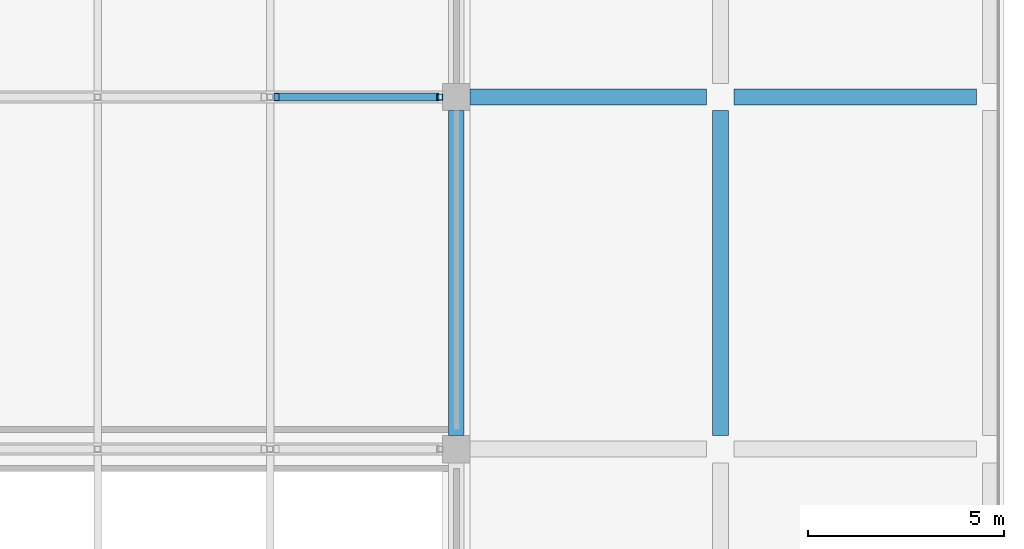
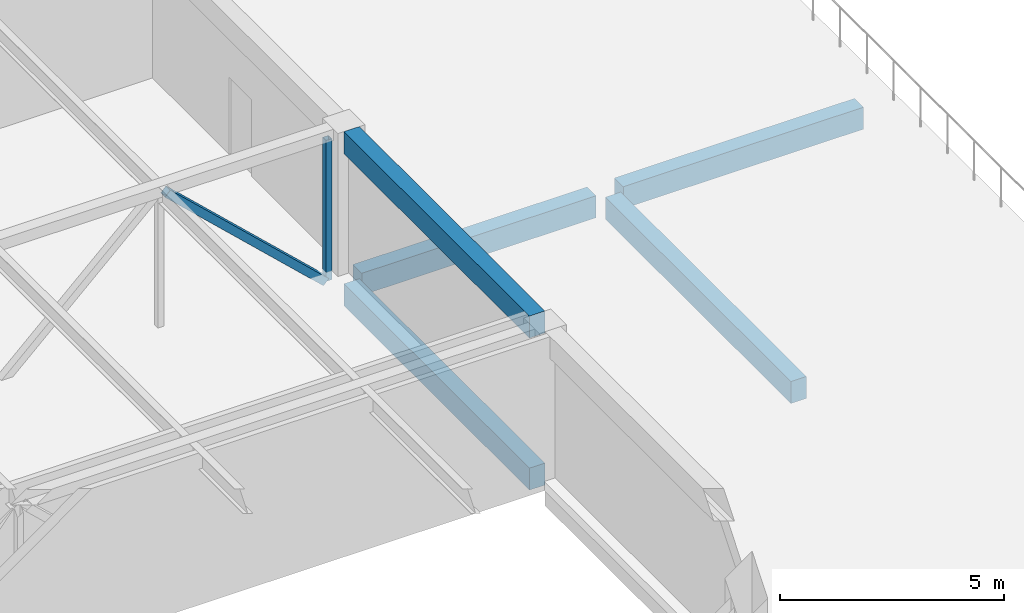
# One storey, part 9 of 30: 5 beams, 2 members.
"""IFC4 building model written with IfcOpenShell, lengths in metres."""

from ifc_helpers import new_model, si_unit, direction, frame, origin, origin_2d, place, context, subcontext, project, spatial, rectangle, hollow_rectangle, extrude, material, material_profile, profile_set, type_object, element, save


model = new_model("IFC4")

# Units and contexts
model_context = context("Model", 3, precision=1e-05, world=origin(), true_north=direction((0.0, 1.0)))
body_context = subcontext(model_context, "Body", "Model", "MODEL_VIEW")
ifc_project = project(units=[si_unit("LENGTHUNIT", "METRE"), si_unit("AREAUNIT", "SQUARE_METRE"), si_unit("VOLUMEUNIT", "CUBIC_METRE"), si_unit("PLANEANGLEUNIT", "RADIAN"), si_unit("MASSUNIT", "GRAM", prefix="KILO")], contexts=[model_context])

# Site, building, storey
site_placement = place(None, origin())
site = spatial("IfcSite", under=ifc_project, at=site_placement, CompositionType="ELEMENT")
building_placement = place(site_placement, origin())
building = spatial("IfcBuilding", under=site, at=building_placement, Name="Corbel Stack Research Tower", CompositionType="ELEMENT")
storey_placement = place(building_placement, frame((0.0, 0.0, 19.5)))
storey = spatial("IfcBuildingStorey", under=building, at=storey_placement, Name="L04", CompositionType="ELEMENT", Elevation=19.5)

# Beams
ifc_material_1 = material(Name="Concrete C40/50", Category="concrete")
ifc_material_profile_1 = material_profile(ifc_material_1, rectangle(XDim=0.39990234375, YDim=0.60009765625, at=origin_2d()), Name="RC 400 x 600")
ifc_profile_set_1 = profile_set([ifc_material_profile_1], Name="Concrete C40/50")
beam_type = type_object("IfcBeamType", Name="HB1 RC beam 400 x 600", PredefinedType="BEAM", material=ifc_profile_set_1)
beam_1_placement = place(storey_placement, frame((86.949951171875, -8.64990234375, -0.550048828125), z_axis=(0.0, 1.0, 0.0), x_axis=(-1.0, 0.0, 0.0)))
element("IfcBeam", 1, at=beam_1_placement, inside=storey, type_object=beam_type, Name="Floor beam L04 H7HC-H7HD", PredefinedType="BEAM", context=body_context, shape_type="SweptSolid", body=[
    extrude(rectangle(XDim=0.39990234375, YDim=0.60009765625, at=origin_2d()), origin(), (0.0, 0.0, 1.0), 8.2998046875),
])
beam_2_placement = place(storey_placement, frame((87.300048828125, 0.0, -0.550048828125), z_axis=(1.0, 0.0, 0.0), x_axis=(0.0, 1.0, 0.0)))
element("IfcBeam", 2, at=beam_2_placement, inside=storey, type_object=beam_type, Name="Floor beam L04 H7HD-H8HD", PredefinedType="BEAM", context=body_context, shape_type="SweptSolid", body=[
    extrude(rectangle(XDim=0.39990234375, YDim=0.60009765625, at=origin_2d()), origin(), (0.0, 0.0, 1.0), 6.050048828125),
])
beam_3_placement = place(storey_placement, frame((93.699951171875, -8.64990234375, -0.550048828125), z_axis=(0.0, 1.0, 0.0), x_axis=(-1.0, 0.0, 0.0)))
element("IfcBeam", 3, at=beam_3_placement, inside=storey, type_object=beam_type, Name="Floor beam L04 H8HC-H8HD", PredefinedType="BEAM", context=body_context, shape_type="SweptSolid", body=[
    extrude(rectangle(XDim=0.39990234375, YDim=0.60009765625, at=origin_2d()), origin(), (0.0, 0.0, 1.0), 8.2998046875),
])
beam_4_placement = place(storey_placement, frame((94.050048828125, 0.0, -0.550048828125), z_axis=(1.0, 0.0, 0.0), x_axis=(0.0, 1.0, 0.0)))
element("IfcBeam", 4, at=beam_4_placement, inside=storey, type_object=beam_type, Name="Floor beam L04 H8HD-H9HD", PredefinedType="BEAM", context=body_context, shape_type="SweptSolid", body=[
    extrude(rectangle(XDim=0.39990234375, YDim=0.60009765625, at=origin_2d()), origin(), (0.0, 0.0, 1.0), 6.199951171875),
])
beam_5_placement = place(storey_placement, frame((86.949951171875, -8.64990234375, 3.60009765625), z_axis=(0.0, 1.0, 0.0), x_axis=(-1.0, 0.0, 0.0)))
element("IfcBeam", 5, at=beam_5_placement, inside=storey, type_object=beam_type, Name="Floor beam R H7HC-H7HD", PredefinedType="BEAM", context=body_context, shape_type="SweptSolid", body=[
    extrude(rectangle(XDim=0.39990234375, YDim=0.60009765625, at=origin_2d()), origin(), (0.0, 0.0, 1.0), 8.2998046875),
])

# Members
ifc_material_2 = material(Name="Steel S355", Category="steel")
ifc_material_profile_2 = material_profile(ifc_material_2, hollow_rectangle(XDim=0.202880859375, YDim=0.202880859375, WallThickness=0.0087890625, at=origin_2d()), Name="HSS8x8x3/8")
ifc_profile_set_2 = profile_set([ifc_material_profile_2], Name="Steel S355")
member_type_1 = type_object("IfcMemberType", Name="HT2 truss diagonal HSS8x8x3/8", PredefinedType="BRACE", material=ifc_profile_set_2)
member_1_placement = place(storey_placement, frame((82.349609375, 0.0, 3.594970703125), z_axis=(0.728438769744, 0.0, -0.685110909805), x_axis=(0.0, 1.0, 0.0)))
element("IfcMember", 6, at=member_1_placement, inside=storey, type_object=member_type_1, Name="Truss TB2 diagonal 8", PredefinedType="BRACE", context=body_context, shape_type="SweptSolid", body=[
    extrude(hollow_rectangle(XDim=0.202880859375, YDim=0.202880859375, WallThickness=0.0087890625, at=origin_2d()), origin(), (0.0, 0.0, 1.0), 5.6123046875),
])
ifc_material_3 = material(Name="Steel S355", Category="steel")
ifc_material_profile_3 = material_profile(ifc_material_3, hollow_rectangle(XDim=0.152099609375, YDim=0.152099609375, WallThickness=0.005859375, at=origin_2d()), Name="HSS6x6x1/4")
ifc_profile_set_3 = profile_set([ifc_material_profile_3], Name="Steel S355")
member_type_2 = type_object("IfcMemberType", Name="HT3 truss post HSS6x6x1/4", PredefinedType="POST", material=ifc_profile_set_3)
member_2_placement = place(storey_placement, frame((86.52392578125, 0.0, -0.25), z_axis=(0.0, 0.0, 1.0), x_axis=(1.0, 0.0, 0.0)))
element("IfcMember", 7, at=member_2_placement, inside=storey, type_object=member_type_2, Name="Truss TB2 post 9", PredefinedType="POST", context=body_context, shape_type="SweptSolid", body=[
    extrude(hollow_rectangle(XDim=0.152099609375, YDim=0.152099609375, WallThickness=0.005859375, at=origin_2d()), origin(), (0.0, 0.0, 1.0), 3.844970703125),
])

save(model, "model.ifc")
